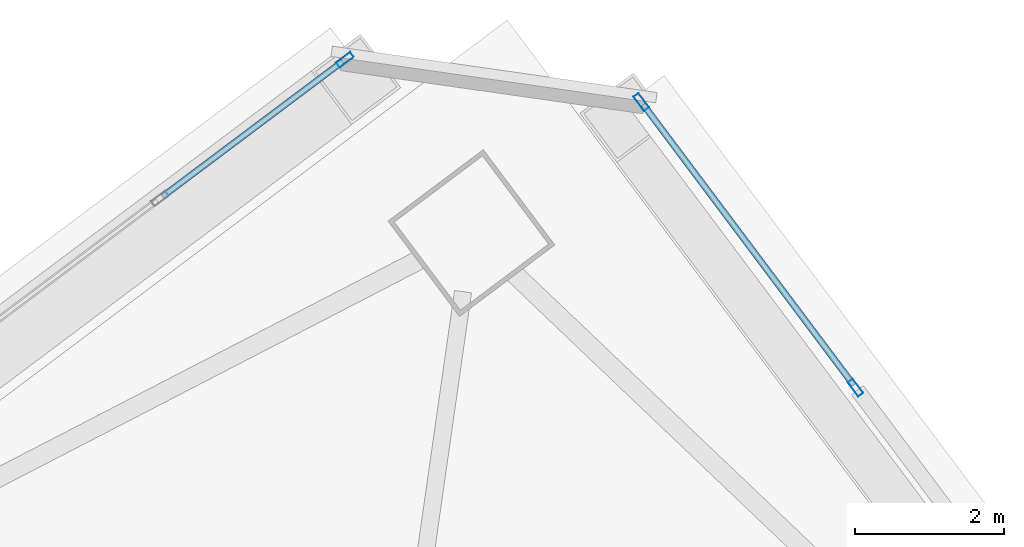
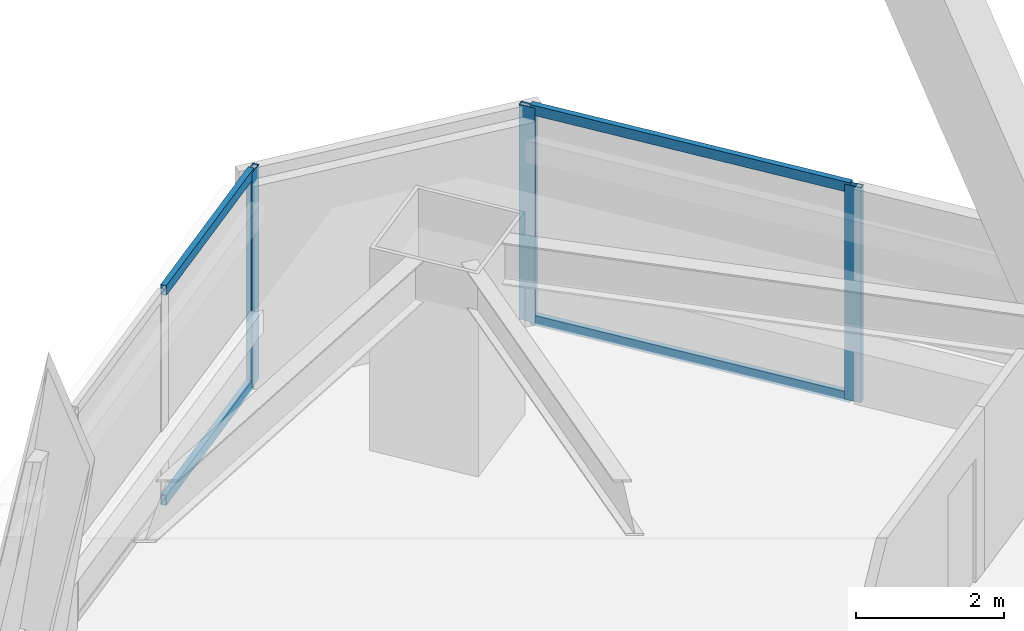
# One storey, part 59 of 75: 7 members, 2 elements without a shape of their own.
"""IFC4 building model written with IfcOpenShell, lengths in metres."""

import ifcopenshell
import ifcopenshell.guid

model = None  # the IFC model being written
_history = None  # IfcOwnerHistory: only IFC2X3 demands one
_inside = {}  # id of a spatial element -> (the spatial element, [elements in it])
_under = {}  # id of a project, library or spatial element -> (it, [spatial elements below it])
_declared = {}  # id of a project -> (the project, [libraries it declares])
_typed = {}  # id of a type object -> (the type object, [elements of that type])
_made_of = {}  # id of a material, layer set ... -> (it, [elements and type objects made of it])


def new_model(schema):
    """Start an empty IFC model of exactly this schema.

    Asked for "IFC4X3", IfcOpenShell would pick the latest addendum, in which some entities
    have other attributes; the version numbers below select the first issue.
    IFC2X3 requires an IfcOwnerHistory on every rooted entity: one is made here for all.
    """
    global model, _history
    if schema == "IFC4X3":
        model = ifcopenshell.file(schema_version=(4, 3, 0, 0))
    else:
        model = ifcopenshell.file(schema=schema)
    _inside.clear()
    _under.clear()
    _declared.clear()
    _typed.clear()
    _made_of.clear()
    _history = None
    if model.schema == "IFC2X3":
        org = make("IfcOrganization", Name="unknown")
        user = make(
            "IfcPersonAndOrganization",
            ThePerson=make("IfcPerson", FamilyName="unknown"),
            TheOrganization=org,
        )
        app = make(
            "IfcApplication",
            ApplicationDeveloper=org,
            Version="unknown",
            ApplicationFullName="unknown",
            ApplicationIdentifier="unknown",
        )
        _history = make(
            "IfcOwnerHistory",
            OwningUser=user,
            OwningApplication=app,
            ChangeAction="ADDED",
            CreationDate=0,
        )
    return model


def make(cls, **values):
    """One entity of the class cls with the attributes given. An attribute that is None is left unset."""
    return model.create_entity(
        cls, **{name: value for name, value in values.items() if value is not None}
    )


def rooted(cls, **values):
    """An entity with a GlobalId (a new one), such as an element, a storey or a relation."""
    return make(cls, GlobalId=ifcopenshell.guid.new(), OwnerHistory=_history, **values)


def si_unit(unit_type, name, prefix=None):
    """IfcSIUnit, for example si_unit("LENGTHUNIT", "METRE", prefix="MILLI")."""
    return make("IfcSIUnit", UnitType=unit_type, Prefix=prefix, Name=name)


def assignment(units):
    """IfcUnitAssignment: the units of a project."""
    return None if units is None else make("IfcUnitAssignment", Units=units)


def point(xyz):
    """IfcCartesianPoint."""
    return None if xyz is None else make("IfcCartesianPoint", Coordinates=xyz)


def direction(xyz):
    """IfcDirection."""
    return None if xyz is None else make("IfcDirection", DirectionRatios=xyz)


def frame(location, z_axis=None, x_axis=None):
    """IfcAxis2Placement3D, a coordinate frame: its origin and axes. An axis left out is left unset."""
    return make(
        "IfcAxis2Placement3D",
        Location=point(location),
        Axis=direction(z_axis),
        RefDirection=direction(x_axis),
    )


def frame_2d(location, x_axis=None):
    """IfcAxis2Placement2D, a coordinate frame in the plane: its origin and x axis."""
    return make(
        "IfcAxis2Placement2D", Location=point(location), RefDirection=direction(x_axis)
    )


def origin():
    """The frame at (0, 0, 0) with its axes left unset."""
    return frame((0.0, 0.0, 0.0))


def origin_2d():
    """The frame at (0, 0) in the plane with its x axis left unset."""
    return frame_2d((0.0, 0.0))


def place(relative_to, where):
    """IfcLocalPlacement: puts the frame where relative to a parent placement (None: the world)."""
    return make(
        "IfcLocalPlacement", PlacementRelTo=relative_to, RelativePlacement=where
    )


def context(
    kind, dimensions, precision=None, world=None, true_north=None, identifier=None
):
    """IfcGeometricRepresentationContext, for example the 3D "Model" context."""
    return make(
        "IfcGeometricRepresentationContext",
        ContextIdentifier=identifier,
        ContextType=kind,
        CoordinateSpaceDimension=dimensions,
        Precision=precision,
        WorldCoordinateSystem=world,
        TrueNorth=true_north,
    )


def subcontext(parent, identifier, kind, view, scale=None):
    """IfcGeometricRepresentationSubContext, for example "Body" below "Model"."""
    return make(
        "IfcGeometricRepresentationSubContext",
        ContextIdentifier=identifier,
        ContextType=kind,
        ParentContext=parent,
        TargetScale=scale,
        TargetView=view,
    )


def project(units=None, contexts=None):
    """IfcProject with its units and contexts."""
    return rooted(
        "IfcProject",
        Name="project",
        RepresentationContexts=contexts,
        UnitsInContext=assignment(units),
    )


def spatial(cls, under=None, at=None, **own):
    """A site, building, storey or space (cls), placed at a placement, below another one or the project."""
    s = rooted(cls, ObjectPlacement=at, **own)
    if under is not None:
        _under.setdefault(under.id(), (under, []))[1].append(s)
    return s


def profile(cls, at=None, kind="AREA", **sizes):
    """A parametric profile (cls). Its sizes go by their IFC names, for example OverallWidth=200.0."""
    return make(cls, ProfileType=kind, Position=at, **sizes)


def hollow_rectangle(**sizes):
    """IfcRectangleHollowProfileDef."""
    return profile("IfcRectangleHollowProfileDef", **sizes)


def extrude(swept, where, along, depth):
    """IfcExtrudedAreaSolid: the profile swept, set in the frame where, extruded along a direction by depth."""
    return make(
        "IfcExtrudedAreaSolid",
        SweptArea=swept,
        Position=where,
        ExtrudedDirection=direction(along),
        Depth=depth,
    )


def shape(context_of_items, identifier, shape_type, items):
    """IfcShapeRepresentation: the items that make up one representation, for example the "Body"."""
    return make(
        "IfcShapeRepresentation",
        ContextOfItems=context_of_items,
        RepresentationIdentifier=identifier,
        RepresentationType=shape_type,
        Items=items,
    )


def material(Name=None, Category=None):
    """IfcMaterial."""
    return make("IfcMaterial", Name=Name, Category=Category)


def material_profile(
    of_material, cross_section, Name=None, Category=None, Priority=None
):
    """IfcMaterialProfile: a cross section and its material."""
    return make(
        "IfcMaterialProfile",
        Name=Name,
        Material=of_material,
        Profile=cross_section,
        Priority=Priority,
        Category=Category,
    )


def profile_set(profiles, Name=None, composite=None):
    """IfcMaterialProfileSet."""
    return make(
        "IfcMaterialProfileSet",
        Name=Name,
        MaterialProfiles=profiles,
        CompositeProfile=composite,
    )


def made_of(thing, what):
    """Note that an element or type object is made of a material, layer set ...; save() writes the relation."""
    if what is not None:
        _made_of.setdefault(what.id(), (what, []))[1].append(thing)
    return thing


def type_object(cls, material=None, **own):
    """A type object (cls), such as IfcWallType, which elements share."""
    return made_of(rooted(cls, **own), material)


def element(
    cls,
    number,
    at=None,
    inside=None,
    cuts=None,
    type_object=None,
    material=None,
    context=None,
    identifier="Body",
    shape_type=None,
    held_by="IfcProductDefinitionShape",
    body=None,
    shapes=None,
    **own,
):
    """One element of the class cls, such as IfcWall. Its Tag is "e" and its number.

    at: its placement. inside: the storey or other place that contains it. cuts: it is an
    opening in that element (IfcRelVoidsElement). A single representation is given by context,
    identifier, shape_type and body (its items); several are given by shapes. held_by: the class
    of the entity that holds the representations. save() writes the other relations.
    """
    e = rooted(cls, Tag="e%d" % number, ObjectPlacement=at, **own)
    if body is not None:
        shapes = [shape(context, identifier, shape_type, body)]
    if shapes is not None:
        e.Representation = make(held_by, Representations=shapes)
    if inside is not None:
        _inside.setdefault(inside.id(), (inside, []))[1].append(e)
    if cuts is not None:
        rooted(
            "IfcRelVoidsElement", RelatingBuildingElement=cuts, RelatedOpeningElement=e
        )
    if type_object is not None:
        _typed.setdefault(type_object.id(), (type_object, []))[1].append(e)
    return made_of(e, material)


def aggregate(whole, parts):
    """IfcRelAggregates: a whole, such as a stair, and the parts it consists of."""
    return rooted("IfcRelAggregates", RelatingObject=whole, RelatedObjects=parts)


def save(model, path):
    """Write the relations noted so far, then the file.

    IfcRelAggregates (storeys below a building ...), IfcRelContainedInSpatialStructure (elements
    in a storey), IfcRelDefinesByType, IfcRelAssociatesMaterial and IfcRelDeclares: one each for
    every whole, place, type object, material and project.
    """
    for whole, parts in _under.values():
        aggregate(whole, parts)
    for where, things in _inside.values():
        rooted(
            "IfcRelContainedInSpatialStructure",
            RelatedElements=things,
            RelatingStructure=where,
        )
    for kind, things in _typed.values():
        rooted("IfcRelDefinesByType", RelatedObjects=things, RelatingType=kind)
    for what, things in _made_of.values():
        rooted("IfcRelAssociatesMaterial", RelatedObjects=things, RelatingMaterial=what)
    for by, libraries in _declared.values():
        rooted("IfcRelDeclares", RelatingContext=by, RelatedDefinitions=libraries)
    model.write(path)


model = new_model("IFC4")

# Units and contexts
model_context = context("Model", 3, precision=1e-05, world=origin(), true_north=direction((0.0, 1.0)))
body_context = subcontext(model_context, "Body", "Model", "MODEL_VIEW")
ifc_project = project(units=[si_unit("LENGTHUNIT", "METRE"), si_unit("AREAUNIT", "SQUARE_METRE"), si_unit("VOLUMEUNIT", "CUBIC_METRE"), si_unit("PLANEANGLEUNIT", "RADIAN"), si_unit("MASSUNIT", "GRAM", prefix="KILO")], contexts=[model_context])

# Site, building, storey
site_placement = place(None, origin())
site = spatial("IfcSite", under=ifc_project, at=site_placement, CompositionType="ELEMENT")
building_placement = place(site_placement, origin())
building = spatial("IfcBuilding", under=site, at=building_placement, Name="Tashvorn Skyway Center", CompositionType="ELEMENT")
storey_placement = place(building_placement, frame((0.0, 0.0, 45.89990234375)))
storey = spatial("IfcBuildingStorey", under=building, at=storey_placement, Name="L11", CompositionType="ELEMENT", Elevation=45.89990234375)

# Curtain wall, member
ifc_material = material(Name="Thermally broken bronze-anodized aluminium 6063-T6", Category="aluminium")
curtain_wall_type = type_object("IfcCurtainWallType", Name="CW-CW-Z1", PredefinedType="NOTDEFINED", material=ifc_material)
curtain_wall_1_placement = place(storey_placement, origin())
curtain_wall_1 = element("IfcCurtainWall", 1, at=curtain_wall_1_placement, inside=storey, type_object=curtain_wall_type, Name="Tower 2 L11 North Unitised Curtain Wall Glazing Group 3", PredefinedType="NOTDEFINED")
ifc_material_profile_1 = material_profile(ifc_material, hollow_rectangle(XDim=0.0849609375, YDim=0.239990234375, WallThickness=0.0048828125, at=origin_2d()), Name="ALU-MULL-85x240")
ifc_profile_set_1 = profile_set([ifc_material_profile_1], Name="Thermally broken bronze-anodized aluminium 6063-T6")
member_type_1 = type_object("IfcMemberType", Name="CWM-CW-Z1", PredefinedType="MULLION", material=ifc_profile_set_1)
member_1_placement = place(storey_placement, frame((116.06201171875, 60.646484375, 0.0), z_axis=(0.0, 0.0, 1.0), x_axis=(-0.599997457641, 0.800001906763, 0.0)))
member_1 = element("IfcMember", 2, at=member_1_placement, type_object=member_type_1, Name="CW-Z1 mullion 3", PredefinedType="MULLION", context=body_context, shape_type="SweptSolid", body=[
    extrude(hollow_rectangle(XDim=0.0849609375, YDim=0.239990234375, WallThickness=0.0048828125, at=origin_2d()), origin(), (0.0, 0.0, 1.0), 3.550048828125),
])

# Curtain wall, members
curtain_wall_2_placement = place(storey_placement, origin())
curtain_wall_2 = element("IfcCurtainWall", 3, at=curtain_wall_2_placement, inside=storey, type_object=curtain_wall_type, Name="Tower 2 L11 East Curtain Wall L Glazing Group 1", PredefinedType="NOTDEFINED")
member_2_placement = place(storey_placement, frame((120.04150390625, 60.077880859375, 0.0), z_axis=(0.0, 0.0, 1.0), x_axis=(0.799997539287, 0.600003280937, 0.0)))
member_2 = element("IfcMember", 4, at=member_2_placement, type_object=member_type_1, Name="CW-Z1 mullion 1", PredefinedType="MULLION", context=body_context, shape_type="SweptSolid", body=[
    extrude(hollow_rectangle(XDim=0.0849609375, YDim=0.239990234375, WallThickness=0.0048828125, at=origin_2d()), origin(), (0.0, 0.0, 1.0), 3.550048828125),
])
member_3_placement = place(storey_placement, frame((122.91650390625, 56.24462890625, 0.0), z_axis=(0.0, 0.0, 1.0), x_axis=(0.799997539287, 0.600003280937, 0.0)))
member_3 = element("IfcMember", 5, at=member_3_placement, type_object=member_type_1, Name="CW-Z1 mullion 2", PredefinedType="MULLION", context=body_context, shape_type="SweptSolid", body=[
    extrude(hollow_rectangle(XDim=0.0849609375, YDim=0.239990234375, WallThickness=0.0048828125, at=origin_2d()), origin(), (0.0, 0.0, 1.0), 3.550048828125),
])

# Member
ifc_material_profile_2 = material_profile(ifc_material, hollow_rectangle(XDim=0.0849609375, YDim=0.1650390625, WallThickness=0.0048828125, at=origin_2d()), Name="ALU-TRAN-85x165")
ifc_profile_set_2 = profile_set([ifc_material_profile_2], Name="Thermally broken bronze-anodized aluminium 6063-T6")
member_type_2 = type_object("IfcMemberType", Name="CWT-CW-Z1", PredefinedType="USERDEFINED", material=ifc_profile_set_2)
member_4_placement = place(storey_placement, frame((113.612548828125, 58.8095703125, 0.04248046875), z_axis=(0.800019405753, 0.599974124791, 0.0), x_axis=(-0.599974124791, 0.800019405753, 0.0)))
member_4 = element("IfcMember", 6, at=member_4_placement, type_object=member_type_2, Name="CW-Z1 transom 2.1", ObjectType="TRANSOM", PredefinedType="USERDEFINED", context=body_context, shape_type="SweptSolid", body=[
    extrude(hollow_rectangle(XDim=0.0849609375, YDim=0.1650390625, WallThickness=0.0048828125, at=origin_2d()), origin(), (0.0, 0.0, 1.0), 3.019287109375),
])

member_5_placement = place(storey_placement, frame((113.612548828125, 58.8095703125, 3.507568359375), z_axis=(0.800019405753, 0.599974124791, 0.0), x_axis=(-0.599974124791, 0.800019405753, 0.0)))
member_5 = element("IfcMember", 7, at=member_5_placement, type_object=member_type_2, Name="CW-Z1 transom 2.2", ObjectType="TRANSOM", PredefinedType="USERDEFINED", context=body_context, shape_type="SweptSolid", body=[
    extrude(hollow_rectangle(XDim=0.0849609375, YDim=0.1650390625, WallThickness=0.0048828125, at=origin_2d()), origin(), (0.0, 0.0, 1.0), 3.019287109375),
])

aggregate(curtain_wall_1, [member_1, member_4, member_5])

member_6_placement = place(storey_placement, frame((120.06689453125, 60.0439453125, 0.04248046875), z_axis=(0.600049795501, -0.799962650953, 0.0), x_axis=(0.799962650953, 0.600049795501, 0.0)))
member_6 = element("IfcMember", 8, at=member_6_placement, type_object=member_type_2, Name="CW-Z1 transom 1.1", ObjectType="TRANSOM", PredefinedType="USERDEFINED", context=body_context, shape_type="SweptSolid", body=[
    extrude(hollow_rectangle(XDim=0.0849609375, YDim=0.1650390625, WallThickness=0.0048828125, at=origin_2d()), origin(), (0.0, 0.0, 1.0), 4.70654296875),
])

member_7_placement = place(storey_placement, frame((120.06689453125, 60.0439453125, 3.507568359375), z_axis=(0.600049795501, -0.799962650953, 0.0), x_axis=(0.799962650953, 0.600049795501, 0.0)))
member_7 = element("IfcMember", 9, at=member_7_placement, type_object=member_type_2, Name="CW-Z1 transom 1.2", ObjectType="TRANSOM", PredefinedType="USERDEFINED", context=body_context, shape_type="SweptSolid", body=[
    extrude(hollow_rectangle(XDim=0.0849609375, YDim=0.1650390625, WallThickness=0.0048828125, at=origin_2d()), origin(), (0.0, 0.0, 1.0), 4.70654296875),
])

aggregate(curtain_wall_2, [member_2, member_3, member_6, member_7])

save(model, "model.ifc")
